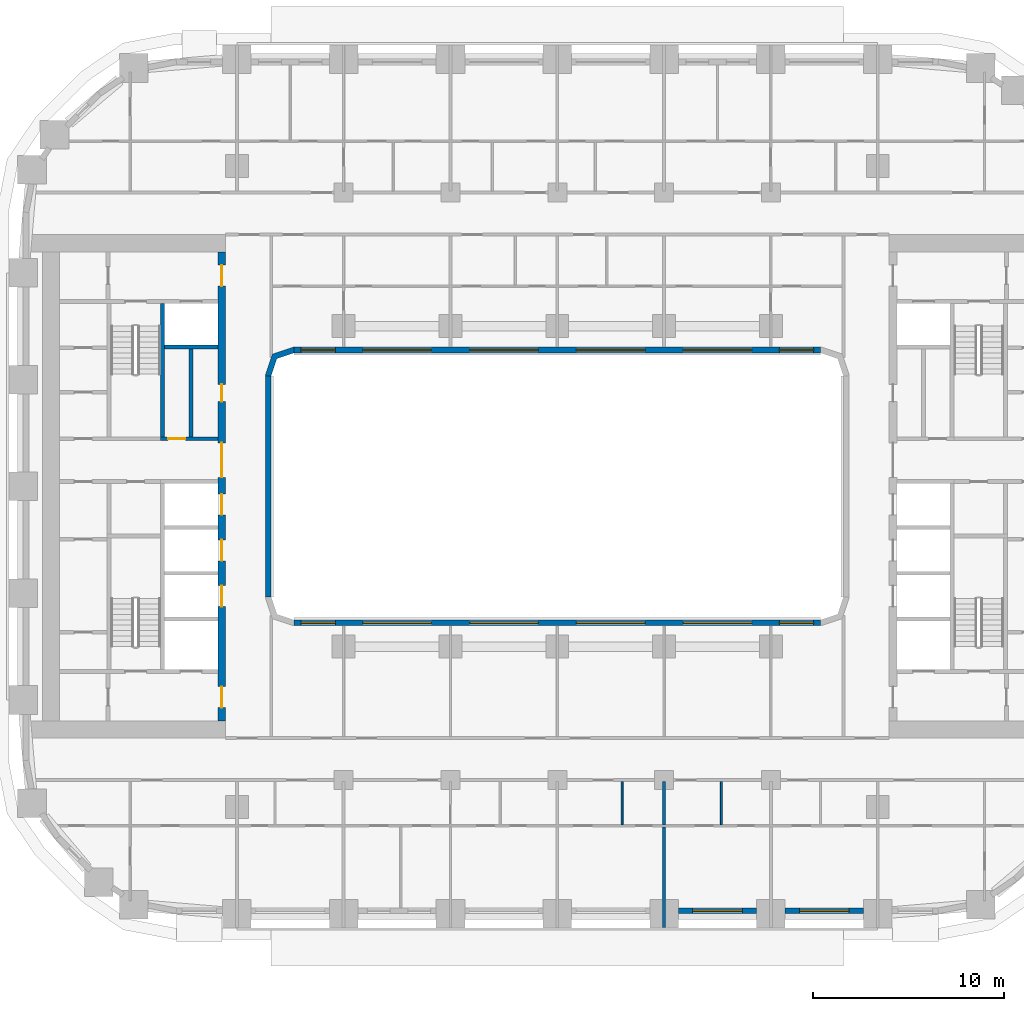
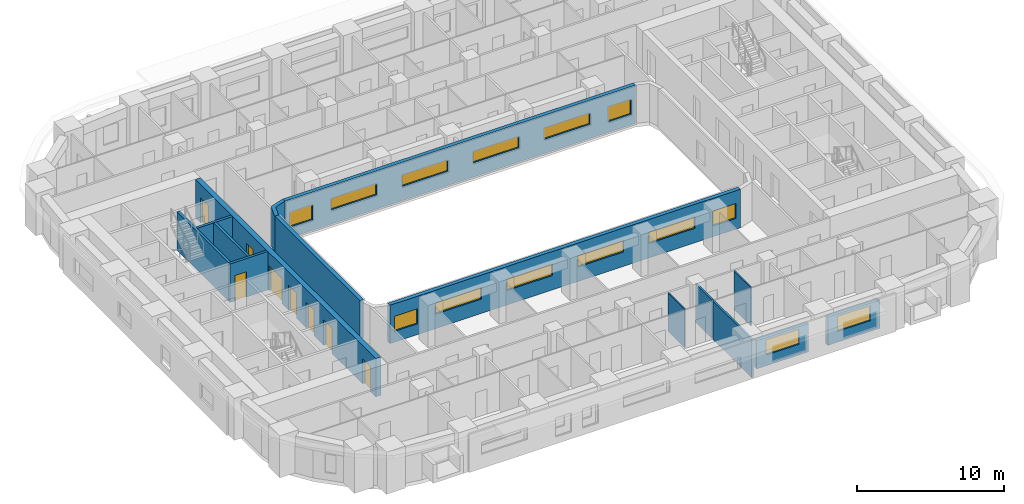
# One storey, part 5 of 22: 15 walls, 14 windows, 8 doors, 22 openings.
"""IFC4 building model written with IfcOpenShell, lengths in metres."""

from ifc_helpers import new_model, si_unit, direction, frame, frame_2d, origin, place, context, subcontext, project, spatial, polyline, rectangle, outline, extrude, material, layer, layer_set, type_object, element, fill, save


model = new_model("IFC4")

# Units and contexts
model_context = context("Model", 3, precision=1e-05, world=origin(), true_north=direction((0.0, 1.0)))
body_context = subcontext(model_context, "Body", "Model", "MODEL_VIEW")
ifc_project = project(units=[si_unit("LENGTHUNIT", "METRE"), si_unit("AREAUNIT", "SQUARE_METRE"), si_unit("VOLUMEUNIT", "CUBIC_METRE"), si_unit("PLANEANGLEUNIT", "RADIAN"), si_unit("MASSUNIT", "GRAM", prefix="KILO")], contexts=[model_context])

# Site, building, storey
site_placement = place(None, origin())
site = spatial("IfcSite", under=ifc_project, at=site_placement, CompositionType="ELEMENT")
building_placement = place(site_placement, origin())
building = spatial("IfcBuilding", under=site, at=building_placement, Name="Kiln Ring Residences", CompositionType="ELEMENT")
storey_placement = place(building_placement, frame((0.0, 0.0, 44.5)))
storey = spatial("IfcBuildingStorey", under=building, at=storey_placement, Name="L10", CompositionType="ELEMENT", Elevation=44.5)

# Wall
ifc_material_1 = material(Name="Gypsum board on steel studs", Category="steel")
ifc_layer_1 = layer(ifc_material_1, 0.199951171875)
ifc_layer_set_1 = layer_set([ifc_layer_1], Name="CORE-PARTITION-200")
wall_type_1 = type_object("IfcWallType", Name="CORE-PARTITION-200", PredefinedType="PARTITIONING", material=ifc_layer_set_1)
wall_1_placement = place(storey_placement, frame((-19.199951171875, 2.60009765625, 0.0), z_axis=(0.0, 0.0, 1.0), x_axis=(0.0, 1.0, 0.0)))
element("IfcWall", 1, at=wall_1_placement, inside=storey, type_object=wall_type_1, Name="Core partition west L10 3", PredefinedType="PARTITIONING", context=body_context, shape_type="SweptSolid", body=[
    extrude(rectangle(XDim=4.599853515625, YDim=0.199951171875, at=frame_2d((2.2998046875, 0.0))), origin(), (0.0, 0.0, 1.0), 3.199951171875),
])

# Wall, opening, door
ifc_material_2 = material(Name="Gypsum shaft wall system")
ifc_layer_2 = layer(ifc_material_2, 0.199951171875)
ifc_layer_set_2 = layer_set([ifc_layer_2], Name="CORE-SHAFT-WALL-200")
wall_type_2 = type_object("IfcWallType", Name="CORE-SHAFT-WALL-200", PredefinedType="PARTITIONING", material=ifc_layer_set_2)
wall_2_placement = place(storey_placement, frame((-17.800048828125, 2.5, 0.0), z_axis=(0.0, 0.0, 1.0), x_axis=(-1.0, 0.0, 0.0)))
wall_2 = element("IfcWall", 2, at=wall_2_placement, inside=storey, type_object=wall_type_2, Name="Core partition west L10 14", PredefinedType="PARTITIONING", context=body_context, shape_type="SweptSolid", body=[
    extrude(rectangle(XDim=3.0, YDim=0.199951171875, at=frame_2d((1.5, 0.0))), origin(), (0.0, 0.0, 1.0), 3.199951171875),
])
opening_1_placement = place(wall_2_placement, frame((1.699951171875, 0.0, 0.0)))
opening_1 = element("IfcOpeningElement", 3, at=opening_1_placement, cuts=wall_2, Name="Opening L10-CW06", PredefinedType="OPENING", context=body_context, shape_type="SweptSolid", body=[
    extrude(rectangle(XDim=0.89990234375, YDim=2.10009765625, at=frame_2d((0.449951171875, 1.050048828125))), frame((0.0, 0.10986328125, 0.0), z_axis=(0.0, -1.0, 0.0), x_axis=(1.0, 0.0, 0.0)), (0.0, 0.0, 1.0), 0.219970703125),
])
ifc_material_3 = material(Name="Steel door leaf", Category="steel")
door_type_1 = type_object("IfcDoorType", Name="CORE-DOOR-ROOM", OperationType="SINGLE_SWING_LEFT", PredefinedType="DOOR", material=ifc_material_3)
door_1_placement = place(opening_1_placement, origin())
door_1 = element("IfcDoor", 4, at=door_1_placement, inside=storey, type_object=door_type_1, Name="Cleaner's store L10-CW06", OperationType="SINGLE_SWING_LEFT", OverallHeight=2.10009765625, OverallWidth=0.89990234375, PredefinedType="DOOR", context=body_context, shape_type="SweptSolid", body=[
    extrude(rectangle(XDim=0.89990234375, YDim=2.10009765625, at=frame_2d((0.449951171875, 1.050048828125))), frame((0.0, 0.02490234375, 0.0), z_axis=(0.0, -1.0, 0.0), x_axis=(1.0, 0.0, 0.0)), (0.0, 0.0, 1.0), 0.050048828125),
])
fill(opening_1, door_1)

# Walls
wall_3_placement = place(storey_placement, frame((-17.800048828125, 7.300048828125, 0.0), z_axis=(0.0, 0.0, 1.0), x_axis=(-1.0, 0.0, 0.0)))
element("IfcWall", 5, at=wall_3_placement, inside=storey, type_object=wall_type_2, Name="Core partition west L10 15", PredefinedType="PARTITIONING", context=body_context, shape_type="SweptSolid", body=[
    extrude(rectangle(XDim=2.800048828125, YDim=0.199951171875, at=frame_2d((1.39990234375, 0.0))), origin(), (0.0, 0.0, 1.0), 3.199951171875),
])
ifc_material_4 = material(Name="Concrete C40/50", Category="concrete")
ifc_layer_3 = layer(ifc_material_4, 0.199951171875)
ifc_layer_set_3 = layer_set([ifc_layer_3], Name="CORE-WALL-RC200")
wall_type_3 = type_object("IfcWallType", Name="CORE-WALL-RC200", PredefinedType="SHEAR", material=ifc_layer_set_3)
wall_4_placement = place(storey_placement, frame((-20.699951171875, 2.60009765625, 0.0), z_axis=(0.0, 0.0, 1.0), x_axis=(0.0, 1.0, 0.0)))
element("IfcWall", 6, at=wall_4_placement, inside=storey, type_object=wall_type_3, Name="Core wall west L10 1", PredefinedType="SHEAR", context=body_context, shape_type="SweptSolid", body=[
    extrude(rectangle(XDim=7.0, YDim=0.199951171875, at=frame_2d((3.5, 0.0))), origin(), (0.0, 0.0, 1.0), 3.199951171875),
])

# Wall, openings, doors
ifc_material_5 = material(Name="Concrete C60/75", Category="concrete")
ifc_layer_4 = layer(ifc_material_5, 0.39990234375)
ifc_layer_set_4 = layer_set([ifc_layer_4], Name="CORE-WALL-RC400")
wall_type_4 = type_object("IfcWallType", Name="CORE-WALL-RC400", PredefinedType="SHEAR", material=ifc_layer_set_4)
wall_5_placement = place(storey_placement, frame((-17.60009765625, -12.300048828125, 0.0), z_axis=(0.0, 0.0, 1.0), x_axis=(0.0, 1.0, 0.0)))
wall_5 = element("IfcWall", 7, at=wall_5_placement, inside=storey, type_object=wall_type_4, Name="Core wall west L10 6", PredefinedType="SHEAR", context=body_context, shape_type="SweptSolid", body=[
    extrude(rectangle(XDim=24.60009765625, YDim=0.39990234375, at=frame_2d((12.300048828125, 0.0))), origin(), (0.0, 0.0, 1.0), 3.199951171875),
])
opening_2_placement = place(wall_5_placement, frame((6.0, 0.0, 0.0)))
opening_2 = element("IfcOpeningElement", 8, at=opening_2_placement, cuts=wall_5, Name="Opening L10-CW02", PredefinedType="OPENING", context=body_context, shape_type="SweptSolid", body=[
    extrude(rectangle(XDim=1.10009765625, YDim=2.10009765625, at=frame_2d((0.550048828125, 1.050048828125))), frame((0.0, 0.2099609375, 0.0), z_axis=(0.0, -1.0, 0.0), x_axis=(1.0, 0.0, 0.0)), (0.0, 0.0, 1.0), 0.419921875),
])
opening_3_placement = place(wall_5_placement, frame((8.39990234375, 0.0, 0.0)))
opening_3 = element("IfcOpeningElement", 9, at=opening_3_placement, cuts=wall_5, Name="Opening L10-CW03", PredefinedType="OPENING", context=body_context, shape_type="SweptSolid", body=[
    extrude(rectangle(XDim=1.10009765625, YDim=2.10009765625, at=frame_2d((0.550048828125, 1.050048828125))), frame((0.0, 0.2099609375, 0.0), z_axis=(0.0, -1.0, 0.0), x_axis=(1.0, 0.0, 0.0)), (0.0, 0.0, 1.0), 0.419921875),
])
opening_4_placement = place(wall_5_placement, frame((10.800048828125, 0.0, 0.0)))
opening_4 = element("IfcOpeningElement", 10, at=opening_4_placement, cuts=wall_5, Name="Opening L10-CW04", PredefinedType="OPENING", context=body_context, shape_type="SweptSolid", body=[
    extrude(rectangle(XDim=1.10009765625, YDim=2.10009765625, at=frame_2d((0.550048828125, 1.050048828125))), frame((0.0, 0.2099609375, 0.0), z_axis=(0.0, -1.0, 0.0), x_axis=(1.0, 0.0, 0.0)), (0.0, 0.0, 1.0), 0.419921875),
])
opening_5_placement = place(wall_5_placement, frame((16.75, 0.0, 0.0)))
opening_5 = element("IfcOpeningElement", 11, at=opening_5_placement, cuts=wall_5, Name="Opening L10-CW05", PredefinedType="OPENING", context=body_context, shape_type="SweptSolid", body=[
    extrude(rectangle(XDim=0.89990234375, YDim=2.10009765625, at=frame_2d((0.449951171875, 1.050048828125))), frame((0.0, 0.2099609375, 0.0), z_axis=(0.0, -1.0, 0.0), x_axis=(1.0, 0.0, 0.0)), (0.0, 0.0, 1.0), 0.419921875),
])
opening_6_placement = place(wall_5_placement, frame((22.800048828125, 0.0, 0.0)))
opening_6 = element("IfcOpeningElement", 12, at=opening_6_placement, cuts=wall_5, Name="Opening L10-CW08", PredefinedType="OPENING", context=body_context, shape_type="SweptSolid", body=[
    extrude(rectangle(XDim=1.10009765625, YDim=2.10009765625, at=frame_2d((0.550048828125, 1.050048828125))), frame((0.0, 0.2099609375, 0.0), z_axis=(0.0, -1.0, 0.0), x_axis=(1.0, 0.0, 0.0)), (0.0, 0.0, 1.0), 0.419921875),
])
opening_7_placement = place(wall_5_placement, frame((0.699951171875, 0.0, 0.0)))
opening_7 = element("IfcOpeningElement", 13, at=opening_7_placement, cuts=wall_5, Name="Opening L10-CW09", PredefinedType="OPENING", context=body_context, shape_type="SweptSolid", body=[
    extrude(rectangle(XDim=1.10009765625, YDim=2.10009765625, at=frame_2d((0.550048828125, 1.050048828125))), frame((0.0, 0.2099609375, 0.0), z_axis=(0.0, -1.0, 0.0), x_axis=(1.0, 0.0, 0.0)), (0.0, 0.0, 1.0), 0.419921875),
])
opening_8_placement = place(wall_5_placement, frame((12.77490234375, 0.0, 0.0)))
opening_8 = element("IfcOpeningElement", 14, at=opening_8_placement, cuts=wall_5, Name="Opening L10-CW14", PredefinedType="OPENING", context=body_context, shape_type="SweptSolid", body=[
    extrude(rectangle(XDim=1.800048828125, YDim=2.10009765625, at=frame_2d((0.89990234375, 1.050048828125))), frame((0.0, 0.2099609375, 0.0), z_axis=(0.0, -1.0, 0.0), x_axis=(1.0, 0.0, 0.0)), (0.0, 0.0, 1.0), 0.419921875),
])
ifc_material_6 = material(Name="Steel door leaf", Category="steel")
door_type_2 = type_object("IfcDoorType", Name="CORE-DOOR-LD", OperationType="DOUBLE_DOOR_SLIDING", PredefinedType="DOOR", material=ifc_material_6)
door_2_placement = place(opening_2_placement, origin())
door_2 = element("IfcDoor", 15, at=door_2_placement, inside=storey, type_object=door_type_2, Name="LD W-L1 L10-CW02", OperationType="DOUBLE_DOOR_SLIDING", OverallHeight=2.10009765625, OverallWidth=1.10009765625, PredefinedType="DOOR", context=body_context, shape_type="SweptSolid", body=[
    extrude(rectangle(XDim=1.10009765625, YDim=2.10009765625, at=frame_2d((0.550048828125, 1.050048828125))), frame((0.0, 0.02490234375, 0.0), z_axis=(0.0, -1.0, 0.0), x_axis=(1.0, 0.0, 0.0)), (0.0, 0.0, 1.0), 0.050048828125),
])
fill(opening_2, door_2)
door_3_placement = place(opening_3_placement, origin())
door_3 = element("IfcDoor", 16, at=door_3_placement, inside=storey, type_object=door_type_2, Name="LD W-L2 L10-CW03", OperationType="DOUBLE_DOOR_SLIDING", OverallHeight=2.10009765625, OverallWidth=1.10009765625, PredefinedType="DOOR", context=body_context, shape_type="SweptSolid", body=[
    extrude(rectangle(XDim=1.10009765625, YDim=2.10009765625, at=frame_2d((0.550048828125, 1.050048828125))), frame((0.0, 0.02490234375, 0.0), z_axis=(0.0, -1.0, 0.0), x_axis=(1.0, 0.0, 0.0)), (0.0, 0.0, 1.0), 0.050048828125),
])
fill(opening_3, door_3)
door_4_placement = place(opening_4_placement, origin())
door_4 = element("IfcDoor", 17, at=door_4_placement, inside=storey, type_object=door_type_2, Name="LD W-L3 L10-CW04", OperationType="DOUBLE_DOOR_SLIDING", OverallHeight=2.10009765625, OverallWidth=1.10009765625, PredefinedType="DOOR", context=body_context, shape_type="SweptSolid", body=[
    extrude(rectangle(XDim=1.10009765625, YDim=2.10009765625, at=frame_2d((0.550048828125, 1.050048828125))), frame((0.0, 0.02490234375, 0.0), z_axis=(0.0, -1.0, 0.0), x_axis=(1.0, 0.0, 0.0)), (0.0, 0.0, 1.0), 0.050048828125),
])
fill(opening_4, door_4)
ifc_material_7 = material(Name="Steel door leaf", Category="steel")
door_type_3 = type_object("IfcDoorType", Name="CORE-DOOR-LOBBY", OperationType="SINGLE_SWING_LEFT", PredefinedType="DOOR", material=ifc_material_7)
door_5_placement = place(opening_6_placement, origin())
door_5 = element("IfcDoor", 18, at=door_5_placement, inside=storey, type_object=door_type_3, Name="FFL L10-CW08", OperationType="SINGLE_SWING_LEFT", OverallHeight=2.10009765625, OverallWidth=1.10009765625, PredefinedType="DOOR", context=body_context, shape_type="SweptSolid", body=[
    extrude(rectangle(XDim=1.10009765625, YDim=2.10009765625, at=frame_2d((0.550048828125, 1.050048828125))), frame((0.0, 0.02490234375, 0.0), z_axis=(0.0, -1.0, 0.0), x_axis=(1.0, 0.0, 0.0)), (0.0, 0.0, 1.0), 0.050048828125),
])
fill(opening_6, door_5)
door_6_placement = place(opening_7_placement, origin())
door_6 = element("IfcDoor", 19, at=door_6_placement, inside=storey, type_object=door_type_3, Name="SVL L10-CW09", OperationType="SINGLE_SWING_RIGHT", OverallHeight=2.10009765625, OverallWidth=1.10009765625, PredefinedType="DOOR", context=body_context, shape_type="SweptSolid", body=[
    extrude(rectangle(XDim=1.10009765625, YDim=2.10009765625, at=frame_2d((0.550048828125, 1.050048828125))), frame((0.0, 0.02490234375, 0.0), z_axis=(0.0, -1.0, 0.0), x_axis=(1.0, 0.0, 0.0)), (0.0, 0.0, 1.0), 0.050048828125),
])
fill(opening_7, door_6)
ifc_material_8 = material(Name="Steel door leaf", Category="steel")
door_type_4 = type_object("IfcDoorType", Name="CORE-DOOR-PASS", OperationType="DOUBLE_DOOR_SINGLE_SWING", PredefinedType="DOOR", material=ifc_material_8)
door_7_placement = place(opening_8_placement, origin())
door_7 = element("IfcDoor", 20, at=door_7_placement, inside=storey, type_object=door_type_4, Name="Core passage L10-CW14", OperationType="DOUBLE_DOOR_SINGLE_SWING", OverallHeight=2.10009765625, OverallWidth=1.800048828125, PredefinedType="DOOR", context=body_context, shape_type="SweptSolid", body=[
    extrude(rectangle(XDim=1.800048828125, YDim=2.10009765625, at=frame_2d((0.89990234375, 1.050048828125))), frame((0.0, 0.02490234375, 0.0), z_axis=(0.0, -1.0, 0.0), x_axis=(1.0, 0.0, 0.0)), (0.0, 0.0, 1.0), 0.050048828125),
])
fill(opening_8, door_7)
door_8_placement = place(opening_5_placement, origin())
door_8 = element("IfcDoor", 21, at=door_8_placement, inside=storey, type_object=door_type_1, Name="Storage room L10-CW05", OperationType="SINGLE_SWING_LEFT", OverallHeight=2.10009765625, OverallWidth=0.89990234375, PredefinedType="DOOR", context=body_context, shape_type="SweptSolid", body=[
    extrude(rectangle(XDim=0.89990234375, YDim=2.10009765625, at=frame_2d((0.449951171875, 1.050048828125))), frame((0.0, 0.02490234375, 0.0), z_axis=(0.0, -1.0, 0.0), x_axis=(1.0, 0.0, 0.0)), (0.0, 0.0, 1.0), 0.050048828125),
])
fill(opening_5, door_8)

# Wall, opening, window
ifc_material_9 = material(Name="Brick masonry, dark clay brick", Category="masonry")
ifc_layer_5 = layer(ifc_material_9, 0.300048828125)
ifc_layer_set_5 = layer_set([ifc_layer_5], Name="EW-300 BRICK WALL")
wall_type_5 = type_object("IfcWallType", Name="EW-300 BRICK WALL", PredefinedType="SOLIDWALL", material=ifc_layer_set_5)
wall_6_placement = place(storey_placement, frame((6.35009765625, -22.25, 0.0), z_axis=(0.0, 0.0, 1.0), x_axis=(1.0, 0.0, 0.0)))
wall_6 = element("IfcWall", 22, at=wall_6_placement, inside=storey, type_object=wall_type_5, Name="Facade wall L10 9", PredefinedType="SOLIDWALL", context=body_context, shape_type="SweptSolid", body=[
    extrude(rectangle(XDim=4.099853515625, YDim=0.300048828125, at=frame_2d((2.0498046875, 0.0))), origin(), (0.0, 0.0, 1.0), 2.35009765625),
])
opening_9_placement = place(wall_6_placement, frame((0.75, 0.0, 0.89990234375)))
opening_9 = element("IfcOpeningElement", 23, at=opening_9_placement, cuts=wall_6, Name="Opening W3", PredefinedType="OPENING", context=body_context, shape_type="SweptSolid", body=[
    extrude(rectangle(XDim=2.60009765625, YDim=1.25, at=frame_2d((1.300048828125, 0.625))), frame((0.0, 0.159912109375, 0.0), z_axis=(0.0, -1.0, 0.0), x_axis=(1.0, 0.0, 0.0)), (0.0, 0.0, 1.0), 0.320068359375),
])
ifc_material_10 = material(Name="Aluminium frame with double glazing", Category="aluminium")
window_type_1 = type_object("IfcWindowType", Name="WINDOW 2600 x 1250", PartitioningType="SINGLE_PANEL", PredefinedType="WINDOW", material=ifc_material_10)
window_1_placement = place(opening_9_placement, origin())
window_1 = element("IfcWindow", 24, at=window_1_placement, inside=storey, type_object=window_type_1, Name="Window L10 8", OverallHeight=1.25, OverallWidth=2.60009765625, PartitioningType="SINGLE_PANEL", PredefinedType="WINDOW", context=body_context, shape_type="SweptSolid", body=[
    extrude(rectangle(XDim=2.60009765625, YDim=1.25, at=frame_2d((1.300048828125, 0.625))), frame((0.0, 0.030029296875, 0.0), z_axis=(0.0, -1.0, 0.0), x_axis=(1.0, 0.0, 0.0)), (0.0, 0.0, 1.0), 0.06005859375),
])
fill(opening_9, window_1)

wall_7_placement = place(storey_placement, frame((11.949951171875, -22.25, 0.0), z_axis=(0.0, 0.0, 1.0), x_axis=(1.0, 0.0, 0.0)))
wall_7 = element("IfcWall", 25, at=wall_7_placement, inside=storey, type_object=wall_type_5, Name="Facade wall L10 10", PredefinedType="SOLIDWALL", context=body_context, shape_type="SweptSolid", body=[
    extrude(rectangle(XDim=4.10009765625, YDim=0.300048828125, at=frame_2d((2.050048828125, 0.0))), origin(), (0.0, 0.0, 1.0), 2.35009765625),
])
opening_10_placement = place(wall_7_placement, frame((0.75, 0.0, 0.89990234375)))
opening_10 = element("IfcOpeningElement", 26, at=opening_10_placement, cuts=wall_7, Name="Opening W3", PredefinedType="OPENING", context=body_context, shape_type="SweptSolid", body=[
    extrude(rectangle(XDim=2.60009765625, YDim=1.25, at=frame_2d((1.300048828125, 0.625))), frame((0.0, 0.159912109375, 0.0), z_axis=(0.0, -1.0, 0.0), x_axis=(1.0, 0.0, 0.0)), (0.0, 0.0, 1.0), 0.320068359375),
])
window_2_placement = place(opening_10_placement, origin())
window_2 = element("IfcWindow", 27, at=window_2_placement, inside=storey, type_object=window_type_1, Name="Window L10 9", OverallHeight=1.25, OverallWidth=2.60009765625, PartitioningType="SINGLE_PANEL", PredefinedType="WINDOW", context=body_context, shape_type="SweptSolid", body=[
    extrude(rectangle(XDim=2.60009765625, YDim=1.25, at=frame_2d((1.300048828125, 0.625))), frame((0.0, 0.030029296875, 0.0), z_axis=(0.0, -1.0, 0.0), x_axis=(1.0, 0.0, 0.0)), (0.0, 0.0, 1.0), 0.06005859375),
])
fill(opening_10, window_2)

# Wall
wall_8_placement = place(storey_placement, frame((-15.14990234375, -5.800048828125, 0.0), z_axis=(0.0, 0.0, 1.0), x_axis=(0.0, 1.0, 0.0)))
element("IfcWall", 28, at=wall_8_placement, inside=storey, type_object=wall_type_5, Name="Facade wall L10 49", PredefinedType="SOLIDWALL", context=body_context, shape_type="SweptSolid", body=[
    extrude(rectangle(XDim=11.60009765625, YDim=0.300048828125, at=frame_2d((5.800048828125, 0.0))), origin(), (0.0, 0.0, 1.0), 3.199951171875),
])

# Wall, openings, windows
wall_9_placement = place(storey_placement, frame((-13.800048828125, 7.14990234375, 0.0), z_axis=(0.0, 0.0, 1.0), x_axis=(1.0, 0.0, 0.0)))
wall_9 = element("IfcWall", 29, at=wall_9_placement, inside=storey, type_object=wall_type_5, Name="Facade wall L10 50", PredefinedType="SOLIDWALL", context=body_context, shape_type="SweptSolid", body=[
    extrude(rectangle(XDim=27.60009765625, YDim=0.300048828125, at=frame_2d((13.800048828125, 0.0))), origin(), (0.0, 0.0, 1.0), 3.199951171875),
])
opening_11_placement = place(wall_9_placement, frame((0.362548828125, 0.0, 0.89990234375)))
opening_11 = element("IfcOpeningElement", 30, at=opening_11_placement, cuts=wall_9, Name="Opening W2", PredefinedType="OPENING", context=body_context, shape_type="SweptSolid", body=[
    extrude(rectangle(XDim=1.800048828125, YDim=1.25, at=frame_2d((0.89990234375, 0.625))), frame((0.0, 0.159912109375, 0.0), z_axis=(0.0, -1.0, 0.0), x_axis=(1.0, 0.0, 0.0)), (0.0, 0.0, 1.0), 0.320068359375),
])
opening_12_placement = place(wall_9_placement, frame((3.60009765625, 0.0, 1.199951171875)))
opening_12 = element("IfcOpeningElement", 31, at=opening_12_placement, cuts=wall_9, Name="Opening W4", PredefinedType="OPENING", context=body_context, shape_type="SweptSolid", body=[
    extrude(rectangle(XDim=3.60009765625, YDim=0.949951171875, at=frame_2d((1.800048828125, 0.47509765625))), frame((0.0, 0.159912109375, 0.0), z_axis=(0.0, -1.0, 0.0), x_axis=(1.0, 0.0, 0.0)), (0.0, 0.0, 1.0), 0.320068359375),
])
opening_13_placement = place(wall_9_placement, frame((9.199951171875, 0.0, 1.199951171875)))
opening_13 = element("IfcOpeningElement", 32, at=opening_13_placement, cuts=wall_9, Name="Opening W4", PredefinedType="OPENING", context=body_context, shape_type="SweptSolid", body=[
    extrude(rectangle(XDim=3.60009765625, YDim=0.949951171875, at=frame_2d((1.800048828125, 0.47509765625))), frame((0.0, 0.159912109375, 0.0), z_axis=(0.0, -1.0, 0.0), x_axis=(1.0, 0.0, 0.0)), (0.0, 0.0, 1.0), 0.320068359375),
])
opening_14_placement = place(wall_9_placement, frame((14.800048828125, 0.0, 1.199951171875)))
opening_14 = element("IfcOpeningElement", 33, at=opening_14_placement, cuts=wall_9, Name="Opening W4", PredefinedType="OPENING", context=body_context, shape_type="SweptSolid", body=[
    extrude(rectangle(XDim=3.60009765625, YDim=0.949951171875, at=frame_2d((1.800048828125, 0.47509765625))), frame((0.0, 0.159912109375, 0.0), z_axis=(0.0, -1.0, 0.0), x_axis=(1.0, 0.0, 0.0)), (0.0, 0.0, 1.0), 0.320068359375),
])
opening_15_placement = place(wall_9_placement, frame((20.39990234375, 0.0, 1.199951171875)))
opening_15 = element("IfcOpeningElement", 34, at=opening_15_placement, cuts=wall_9, Name="Opening W4", PredefinedType="OPENING", context=body_context, shape_type="SweptSolid", body=[
    extrude(rectangle(XDim=3.60009765625, YDim=0.949951171875, at=frame_2d((1.800048828125, 0.47509765625))), frame((0.0, 0.159912109375, 0.0), z_axis=(0.0, -1.0, 0.0), x_axis=(1.0, 0.0, 0.0)), (0.0, 0.0, 1.0), 0.320068359375),
])
opening_16_placement = place(wall_9_placement, frame((25.4375, 0.0, 0.89990234375)))
opening_16 = element("IfcOpeningElement", 35, at=opening_16_placement, cuts=wall_9, Name="Opening W2", PredefinedType="OPENING", context=body_context, shape_type="SweptSolid", body=[
    extrude(rectangle(XDim=1.800048828125, YDim=1.25, at=frame_2d((0.89990234375, 0.625))), frame((0.0, 0.159912109375, 0.0), z_axis=(0.0, -1.0, 0.0), x_axis=(1.0, 0.0, 0.0)), (0.0, 0.0, 1.0), 0.320068359375),
])
ifc_material_11 = material(Name="Aluminium frame with double glazing", Category="aluminium")
window_type_2 = type_object("IfcWindowType", Name="WINDOW 1800 x 1250", PartitioningType="SINGLE_PANEL", PredefinedType="WINDOW", material=ifc_material_11)
window_3_placement = place(opening_11_placement, origin())
window_3 = element("IfcWindow", 36, at=window_3_placement, inside=storey, type_object=window_type_2, Name="Window L10 24", OverallHeight=1.25, OverallWidth=1.800048828125, PartitioningType="SINGLE_PANEL", PredefinedType="WINDOW", context=body_context, shape_type="SweptSolid", body=[
    extrude(rectangle(XDim=1.800048828125, YDim=1.25, at=frame_2d((0.89990234375, 0.625))), frame((0.0, 0.030029296875, 0.0), z_axis=(0.0, -1.0, 0.0), x_axis=(1.0, 0.0, 0.0)), (0.0, 0.0, 1.0), 0.06005859375),
])
fill(opening_11, window_3)
window_4_placement = place(opening_16_placement, origin())
window_4 = element("IfcWindow", 37, at=window_4_placement, inside=storey, type_object=window_type_2, Name="Window L10 29", OverallHeight=1.25, OverallWidth=1.800048828125, PartitioningType="SINGLE_PANEL", PredefinedType="WINDOW", context=body_context, shape_type="SweptSolid", body=[
    extrude(rectangle(XDim=1.800048828125, YDim=1.25, at=frame_2d((0.89990234375, 0.625))), frame((0.0, 0.030029296875, 0.0), z_axis=(0.0, -1.0, 0.0), x_axis=(1.0, 0.0, 0.0)), (0.0, 0.0, 1.0), 0.06005859375),
])
fill(opening_16, window_4)
ifc_material_12 = material(Name="Aluminium frame with double glazing", Category="aluminium")
window_type_3 = type_object("IfcWindowType", Name="WINDOW 3600 x 950", PartitioningType="SINGLE_PANEL", PredefinedType="WINDOW", material=ifc_material_12)
window_5_placement = place(opening_12_placement, origin())
window_5 = element("IfcWindow", 38, at=window_5_placement, inside=storey, type_object=window_type_3, Name="Window L10 25", OverallHeight=0.949951171875, OverallWidth=3.60009765625, PartitioningType="SINGLE_PANEL", PredefinedType="WINDOW", context=body_context, shape_type="SweptSolid", body=[
    extrude(rectangle(XDim=3.60009765625, YDim=0.949951171875, at=frame_2d((1.800048828125, 0.47509765625))), frame((0.0, 0.030029296875, 0.0), z_axis=(0.0, -1.0, 0.0), x_axis=(1.0, 0.0, 0.0)), (0.0, 0.0, 1.0), 0.06005859375),
])
fill(opening_12, window_5)
window_6_placement = place(opening_13_placement, origin())
window_6 = element("IfcWindow", 39, at=window_6_placement, inside=storey, type_object=window_type_3, Name="Window L10 26", OverallHeight=0.949951171875, OverallWidth=3.60009765625, PartitioningType="SINGLE_PANEL", PredefinedType="WINDOW", context=body_context, shape_type="SweptSolid", body=[
    extrude(rectangle(XDim=3.60009765625, YDim=0.949951171875, at=frame_2d((1.800048828125, 0.47509765625))), frame((0.0, 0.030029296875, 0.0), z_axis=(0.0, -1.0, 0.0), x_axis=(1.0, 0.0, 0.0)), (0.0, 0.0, 1.0), 0.06005859375),
])
fill(opening_13, window_6)
window_7_placement = place(opening_14_placement, origin())
window_7 = element("IfcWindow", 40, at=window_7_placement, inside=storey, type_object=window_type_3, Name="Window L10 27", OverallHeight=0.949951171875, OverallWidth=3.60009765625, PartitioningType="SINGLE_PANEL", PredefinedType="WINDOW", context=body_context, shape_type="SweptSolid", body=[
    extrude(rectangle(XDim=3.60009765625, YDim=0.949951171875, at=frame_2d((1.800048828125, 0.47509765625))), frame((0.0, 0.030029296875, 0.0), z_axis=(0.0, -1.0, 0.0), x_axis=(1.0, 0.0, 0.0)), (0.0, 0.0, 1.0), 0.06005859375),
])
fill(opening_14, window_7)
window_8_placement = place(opening_15_placement, origin())
window_8 = element("IfcWindow", 41, at=window_8_placement, inside=storey, type_object=window_type_3, Name="Window L10 28", OverallHeight=0.949951171875, OverallWidth=3.60009765625, PartitioningType="SINGLE_PANEL", PredefinedType="WINDOW", context=body_context, shape_type="SweptSolid", body=[
    extrude(rectangle(XDim=3.60009765625, YDim=0.949951171875, at=frame_2d((1.800048828125, 0.47509765625))), frame((0.0, 0.030029296875, 0.0), z_axis=(0.0, -1.0, 0.0), x_axis=(1.0, 0.0, 0.0)), (0.0, 0.0, 1.0), 0.06005859375),
])
fill(opening_15, window_8)

wall_10_placement = place(storey_placement, frame((13.800048828125, -7.14990234375, 0.0), z_axis=(0.0, 0.0, 1.0), x_axis=(-1.0, 0.0, 0.0)))
wall_10 = element("IfcWall", 42, at=wall_10_placement, inside=storey, type_object=wall_type_5, Name="Facade wall L10 52", PredefinedType="SOLIDWALL", context=body_context, shape_type="SweptSolid", body=[
    extrude(rectangle(XDim=27.60009765625, YDim=0.300048828125, at=frame_2d((13.800048828125, 0.0))), origin(), (0.0, 0.0, 1.0), 3.199951171875),
])
opening_17_placement = place(wall_10_placement, frame((0.362548828125, 0.0, 0.89990234375)))
opening_17 = element("IfcOpeningElement", 43, at=opening_17_placement, cuts=wall_10, Name="Opening W2", PredefinedType="OPENING", context=body_context, shape_type="SweptSolid", body=[
    extrude(rectangle(XDim=1.800048828125, YDim=1.25, at=frame_2d((0.89990234375, 0.625))), frame((0.0, 0.159912109375, 0.0), z_axis=(0.0, -1.0, 0.0), x_axis=(1.0, 0.0, 0.0)), (0.0, 0.0, 1.0), 0.320068359375),
])
opening_18_placement = place(wall_10_placement, frame((3.60009765625, 0.0, 1.199951171875)))
opening_18 = element("IfcOpeningElement", 44, at=opening_18_placement, cuts=wall_10, Name="Opening W4", PredefinedType="OPENING", context=body_context, shape_type="SweptSolid", body=[
    extrude(rectangle(XDim=3.60009765625, YDim=0.949951171875, at=frame_2d((1.800048828125, 0.47509765625))), frame((0.0, 0.159912109375, 0.0), z_axis=(0.0, -1.0, 0.0), x_axis=(1.0, 0.0, 0.0)), (0.0, 0.0, 1.0), 0.320068359375),
])
opening_19_placement = place(wall_10_placement, frame((9.199951171875, 0.0, 1.199951171875)))
opening_19 = element("IfcOpeningElement", 45, at=opening_19_placement, cuts=wall_10, Name="Opening W4", PredefinedType="OPENING", context=body_context, shape_type="SweptSolid", body=[
    extrude(rectangle(XDim=3.60009765625, YDim=0.949951171875, at=frame_2d((1.800048828125, 0.47509765625))), frame((0.0, 0.159912109375, 0.0), z_axis=(0.0, -1.0, 0.0), x_axis=(1.0, 0.0, 0.0)), (0.0, 0.0, 1.0), 0.320068359375),
])
opening_20_placement = place(wall_10_placement, frame((14.800048828125, 0.0, 1.199951171875)))
opening_20 = element("IfcOpeningElement", 46, at=opening_20_placement, cuts=wall_10, Name="Opening W4", PredefinedType="OPENING", context=body_context, shape_type="SweptSolid", body=[
    extrude(rectangle(XDim=3.60009765625, YDim=0.949951171875, at=frame_2d((1.800048828125, 0.47509765625))), frame((0.0, 0.159912109375, 0.0), z_axis=(0.0, -1.0, 0.0), x_axis=(1.0, 0.0, 0.0)), (0.0, 0.0, 1.0), 0.320068359375),
])
opening_21_placement = place(wall_10_placement, frame((20.39990234375, 0.0, 1.199951171875)))
opening_21 = element("IfcOpeningElement", 47, at=opening_21_placement, cuts=wall_10, Name="Opening W4", PredefinedType="OPENING", context=body_context, shape_type="SweptSolid", body=[
    extrude(rectangle(XDim=3.60009765625, YDim=0.949951171875, at=frame_2d((1.800048828125, 0.47509765625))), frame((0.0, 0.159912109375, 0.0), z_axis=(0.0, -1.0, 0.0), x_axis=(1.0, 0.0, 0.0)), (0.0, 0.0, 1.0), 0.320068359375),
])
opening_22_placement = place(wall_10_placement, frame((25.4375, 0.0, 0.89990234375)))
opening_22 = element("IfcOpeningElement", 48, at=opening_22_placement, cuts=wall_10, Name="Opening W2", PredefinedType="OPENING", context=body_context, shape_type="SweptSolid", body=[
    extrude(rectangle(XDim=1.800048828125, YDim=1.25, at=frame_2d((0.89990234375, 0.625))), frame((0.0, 0.159912109375, 0.0), z_axis=(0.0, -1.0, 0.0), x_axis=(1.0, 0.0, 0.0)), (0.0, 0.0, 1.0), 0.320068359375),
])
window_9_placement = place(opening_17_placement, origin())
window_9 = element("IfcWindow", 49, at=window_9_placement, inside=storey, type_object=window_type_2, Name="Window L10 30", OverallHeight=1.25, OverallWidth=1.800048828125, PartitioningType="SINGLE_PANEL", PredefinedType="WINDOW", context=body_context, shape_type="SweptSolid", body=[
    extrude(rectangle(XDim=1.800048828125, YDim=1.25, at=frame_2d((0.89990234375, 0.625))), frame((0.0, 0.030029296875, 0.0), z_axis=(0.0, -1.0, 0.0), x_axis=(1.0, 0.0, 0.0)), (0.0, 0.0, 1.0), 0.06005859375),
])
fill(opening_17, window_9)
window_10_placement = place(opening_22_placement, origin())
window_10 = element("IfcWindow", 50, at=window_10_placement, inside=storey, type_object=window_type_2, Name="Window L10 35", OverallHeight=1.25, OverallWidth=1.800048828125, PartitioningType="SINGLE_PANEL", PredefinedType="WINDOW", context=body_context, shape_type="SweptSolid", body=[
    extrude(rectangle(XDim=1.800048828125, YDim=1.25, at=frame_2d((0.89990234375, 0.625))), frame((0.0, 0.030029296875, 0.0), z_axis=(0.0, -1.0, 0.0), x_axis=(1.0, 0.0, 0.0)), (0.0, 0.0, 1.0), 0.06005859375),
])
fill(opening_22, window_10)
window_11_placement = place(opening_18_placement, origin())
window_11 = element("IfcWindow", 51, at=window_11_placement, inside=storey, type_object=window_type_3, Name="Window L10 31", OverallHeight=0.949951171875, OverallWidth=3.60009765625, PartitioningType="SINGLE_PANEL", PredefinedType="WINDOW", context=body_context, shape_type="SweptSolid", body=[
    extrude(rectangle(XDim=3.60009765625, YDim=0.949951171875, at=frame_2d((1.800048828125, 0.47509765625))), frame((0.0, 0.030029296875, 0.0), z_axis=(0.0, -1.0, 0.0), x_axis=(1.0, 0.0, 0.0)), (0.0, 0.0, 1.0), 0.06005859375),
])
fill(opening_18, window_11)
window_12_placement = place(opening_19_placement, origin())
window_12 = element("IfcWindow", 52, at=window_12_placement, inside=storey, type_object=window_type_3, Name="Window L10 32", OverallHeight=0.949951171875, OverallWidth=3.60009765625, PartitioningType="SINGLE_PANEL", PredefinedType="WINDOW", context=body_context, shape_type="SweptSolid", body=[
    extrude(rectangle(XDim=3.60009765625, YDim=0.949951171875, at=frame_2d((1.800048828125, 0.47509765625))), frame((0.0, 0.030029296875, 0.0), z_axis=(0.0, -1.0, 0.0), x_axis=(1.0, 0.0, 0.0)), (0.0, 0.0, 1.0), 0.06005859375),
])
fill(opening_19, window_12)
window_13_placement = place(opening_20_placement, origin())
window_13 = element("IfcWindow", 53, at=window_13_placement, inside=storey, type_object=window_type_3, Name="Window L10 33", OverallHeight=0.949951171875, OverallWidth=3.60009765625, PartitioningType="SINGLE_PANEL", PredefinedType="WINDOW", context=body_context, shape_type="SweptSolid", body=[
    extrude(rectangle(XDim=3.60009765625, YDim=0.949951171875, at=frame_2d((1.800048828125, 0.47509765625))), frame((0.0, 0.030029296875, 0.0), z_axis=(0.0, -1.0, 0.0), x_axis=(1.0, 0.0, 0.0)), (0.0, 0.0, 1.0), 0.06005859375),
])
fill(opening_20, window_13)
window_14_placement = place(opening_21_placement, origin())
window_14 = element("IfcWindow", 54, at=window_14_placement, inside=storey, type_object=window_type_3, Name="Window L10 34", OverallHeight=0.949951171875, OverallWidth=3.60009765625, PartitioningType="SINGLE_PANEL", PredefinedType="WINDOW", context=body_context, shape_type="SweptSolid", body=[
    extrude(rectangle(XDim=3.60009765625, YDim=0.949951171875, at=frame_2d((1.800048828125, 0.47509765625))), frame((0.0, 0.030029296875, 0.0), z_axis=(0.0, -1.0, 0.0), x_axis=(1.0, 0.0, 0.0)), (0.0, 0.0, 1.0), 0.06005859375),
])
fill(opening_21, window_14)

# Walls
wall_11_placement = place(storey_placement, origin())
element("IfcWall", 55, at=wall_11_placement, inside=storey, type_object=wall_type_5, Name="Corner wall L10 1", PredefinedType="SOLIDWALL", context=body_context, shape_type="SweptSolid", body=[
    extrude(outline(polyline([(-13.8486328125, 7.300048828125), (-14.937255859375, 6.937255859375), (-15.300048828125, 5.8486328125), (-15.300048828125, 5.800048828125), (-15.0, 5.800048828125), (-14.699951171875, 6.699951171875), (-13.800048828125, 7.0), (-13.800048828125, 7.300048828125), (-13.8486328125, 7.300048828125)])), origin(), (0.0, 0.0, 1.0), 3.199951171875),
])
ifc_material_13 = material(Name="Gypsum board on steel studs", Category="steel")
ifc_layer_6 = layer(ifc_material_13, 0.10009765625)
ifc_layer_set_6 = layer_set([ifc_layer_6], Name="PARTITION-100")
wall_type_6 = type_object("IfcWallType", Name="PARTITION-100", PredefinedType="PARTITIONING", material=ifc_layer_set_6)
for number, where, z_axis, x_axis, name in (
    (56, (3.39990234375, -17.75, 0.0), (0.0, 0.0, 1.0), (0.0, 1.0, 0.0), "Partition 047"),
    (57, (8.60009765625, -17.75, 0.0), (0.0, 0.0, 1.0), (0.0, 1.0, 0.0), "Partition 056"),
):
    element("IfcWall", number, at=place(storey_placement, frame(where, z_axis=z_axis, x_axis=x_axis)), inside=storey, type_object=wall_type_6, Name=name, PredefinedType="PARTITIONING", context=body_context, shape_type="SweptSolid", body=[
        extrude(rectangle(XDim=2.27490234375, YDim=0.10009765625, at=frame_2d((1.137451171875, 0.0))), origin(), (0.0, 0.0, 1.0), 3.199951171875),
    ])
ifc_material_14 = material(Name="Brick masonry partition", Category="masonry")
ifc_layer_7 = layer(ifc_material_14, 0.14990234375)
ifc_layer_set_7 = layer_set([ifc_layer_7], Name="PARTITION-150-ei60")
wall_type_7 = type_object("IfcWallType", Name="PARTITION-150-ei60", PredefinedType="PARTITIONING", material=ifc_layer_set_7)
wall_12_placement = place(storey_placement, frame((5.60009765625, -23.1298828125, 0.0), z_axis=(0.0, 0.0, 1.0), x_axis=(0.0, 1.0, 0.0)))
element("IfcWall", 58, at=wall_12_placement, inside=storey, type_object=wall_type_7, Name="Partition 049", PredefinedType="PARTITIONING", context=body_context, shape_type="SweptSolid", body=[
    extrude(rectangle(XDim=5.27978515625, YDim=0.14990234375, at=frame_2d((2.639892578125, 0.0))), origin(), (0.0, 0.0, 1.0), 3.199951171875),
])
wall_13_placement = place(storey_placement, frame((5.60009765625, -17.75, 0.0), z_axis=(0.0, 0.0, 1.0), x_axis=(0.0, 1.0, 0.0)))
element("IfcWall", 59, at=wall_13_placement, inside=storey, type_object=wall_type_7, Name="Partition 050", PredefinedType="PARTITIONING", context=body_context, shape_type="SweptSolid", body=[
    extrude(rectangle(XDim=2.27490234375, YDim=0.14990234375, at=frame_2d((1.137451171875, 0.0))), origin(), (0.0, 0.0, 1.0), 3.199951171875),
])

save(model, "model.ifc")
